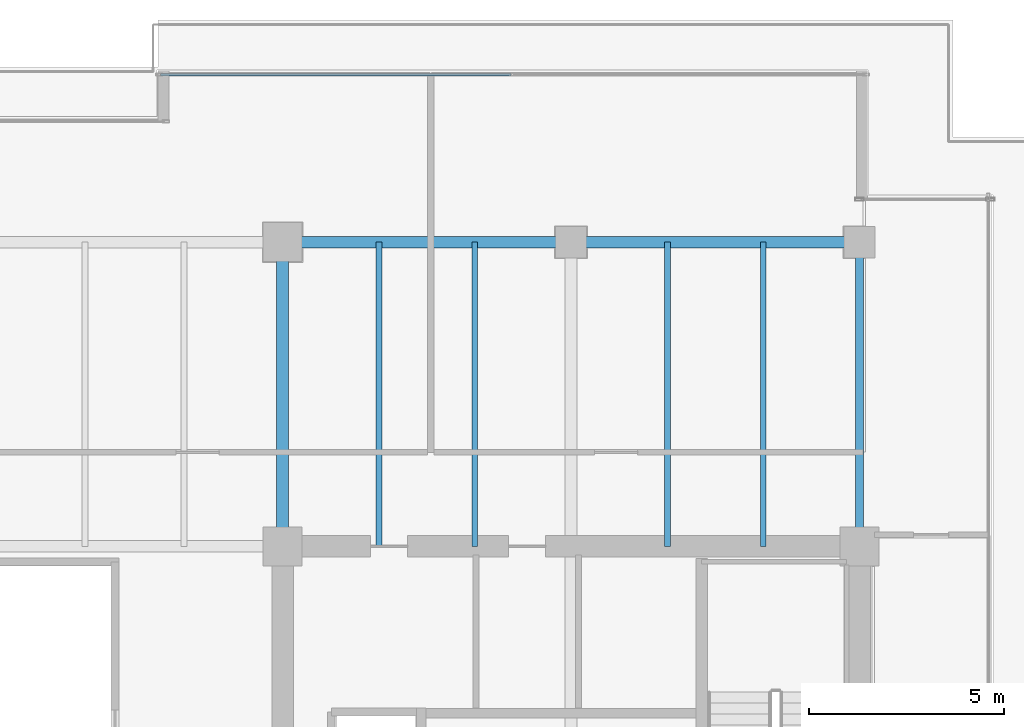
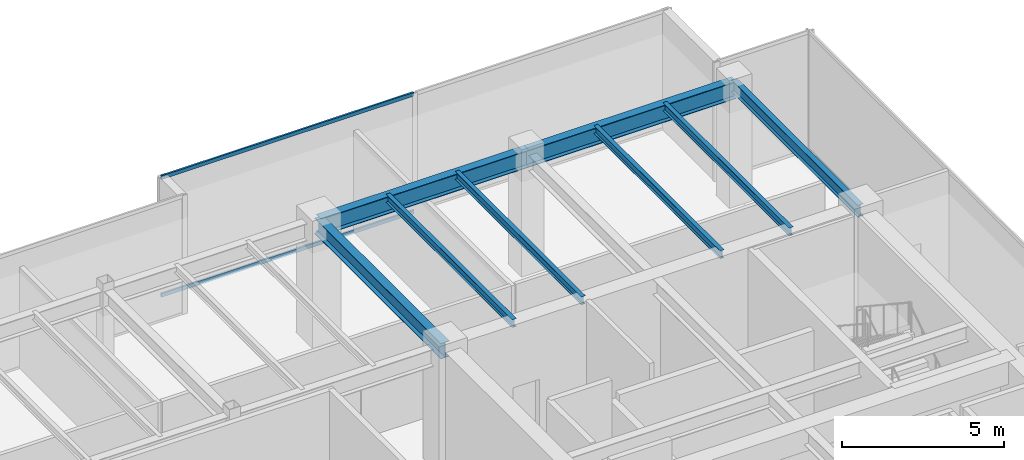
# One storey, part 20 of 37: 8 beams, 2 members, 1 element without a shape of its own.
"""IFC4 building model written with IfcOpenShell, lengths in metres."""

from ifc_helpers import new_model, si_unit, direction, frame, origin, origin_2d, place, context, subcontext, project, spatial, hollow_rectangle, i_section, extrude, source, transform, mapped, material, layer, layer_set, material_profile, profile_set, type_object, type_shapes, element, aggregate, save


model = new_model("IFC4")

# Units and contexts
model_context = context("Model", 3, precision=1e-05, world=origin(), true_north=direction((0.0, 1.0)))
body_context = subcontext(model_context, "Body", "Model", "MODEL_VIEW")
ifc_project = project(units=[si_unit("LENGTHUNIT", "METRE"), si_unit("AREAUNIT", "SQUARE_METRE"), si_unit("VOLUMEUNIT", "CUBIC_METRE"), si_unit("PLANEANGLEUNIT", "RADIAN"), si_unit("MASSUNIT", "GRAM", prefix="KILO")], contexts=[model_context])

# Site, building, storey
site_placement = place(None, origin())
site = spatial("IfcSite", under=ifc_project, at=site_placement, CompositionType="ELEMENT")
building_placement = place(site_placement, origin())
building = spatial("IfcBuilding", under=site, at=building_placement, Name="Haelvirn Gate Laboratories", CompositionType="ELEMENT")
storey_placement = place(building_placement, frame((0.0, 0.0, 196.60009765625)))
storey = spatial("IfcBuildingStorey", under=building, at=storey_placement, Name="L47", CompositionType="ELEMENT", Elevation=196.60009765625)

# Beams
ifc_material_1 = material(Name="Steel SM355", Category="steel")
ifc_material_profile_1 = material_profile(ifc_material_1, i_section(OverallWidth=0.14990234375, OverallDepth=0.300048828125, WebThickness=0.006591796875, FlangeThickness=0.009033203125, at=origin_2d()), Name="H-300x150x6.5x9")
ifc_profile_set_1 = profile_set([ifc_material_profile_1], Name="Steel SM355")
beam_type_1 = type_object("IfcBeamType", Name="BM-J-300", PredefinedType="JOIST", material=ifc_profile_set_1)
shared_shape_1 = source(origin(), body_context, "Body", "SweptSolid", [
    extrude(i_section(OverallWidth=0.14990234375, OverallDepth=0.300048828125, WebThickness=0.006591796875, FlangeThickness=0.009033203125, at=origin_2d()), origin(), (0.0, 0.0, 1.0), 7.800048828125),
])
type_shapes(beam_type_1, [shared_shape_1])
for number, where, z_axis, x_axis, name in (
    (1, (55.070068359375, 33.800048828125, 4.349853515625), (0.0, 1.0, 0.0), (-1.0, 0.0, 0.0), "L47 Composite Lab Joist North X55.07"),
    (2, (57.530029296875, 33.800048828125, 4.349853515625), (0.0, 1.0, 0.0), (-1.0, 0.0, 0.0), "L47 Composite Lab Joist North X57.53"),
    (3, (62.469970703125, 33.800048828125, 4.349853515625), (0.0, 1.0, 0.0), (-1.0, 0.0, 0.0), "L47 Composite Lab Joist North X62.47"),
    (4, (64.929931640625, 33.800048828125, 4.349853515625), (0.0, 1.0, 0.0), (-1.0, 0.0, 0.0), "L47 Composite Lab Joist North X64.93"),
):
    element("IfcBeam", number, at=place(storey_placement, frame(where, z_axis=z_axis, x_axis=x_axis)), inside=storey, type_object=beam_type_1, Name=name, PredefinedType="JOIST", context=body_context, shape_type="MappedRepresentation", body=[
        mapped(shared_shape_1, transform((0.0, 0.0, 0.0), scale=1.0)),
    ])
ifc_material_profile_2 = material_profile(ifc_material_1, i_section(OverallWidth=0.300048828125, OverallDepth=0.587890625, WebThickness=0.011962890625, FlangeThickness=0.02001953125, at=origin_2d()), Name="H-588x300x12x20")
ifc_profile_set_2 = profile_set([ifc_material_profile_2], Name="Steel SM355")
beam_type_2 = type_object("IfcBeamType", Name="BM-G-588", PredefinedType="BEAM", material=ifc_profile_set_2)
shared_shape_2 = source(origin(), body_context, "Body", "SweptSolid", [
    extrude(i_section(OverallWidth=0.300048828125, OverallDepth=0.587890625, WebThickness=0.011962890625, FlangeThickness=0.02001953125, at=origin_2d()), origin(), (0.0, 0.0, 1.0), 7.800048828125),
])
type_shapes(beam_type_2, [shared_shape_2])
beam_1_placement = place(storey_placement, frame((52.60009765625, 33.800048828125, 4.205810546875), z_axis=(0.0, 1.0, 0.0), x_axis=(-1.0, 0.0, 0.0)))
element("IfcBeam", 5, at=beam_1_placement, inside=storey, type_object=beam_type_2, Name="L47 Frame Girder X52.6 (33.8-41.6)", PredefinedType="BEAM", context=body_context, shape_type="MappedRepresentation", body=[
    mapped(shared_shape_2, transform((0.0, 0.0, 0.0), scale=1.0)),
])
ifc_material_profile_3 = material_profile(ifc_material_1, i_section(OverallWidth=0.300048828125, OverallDepth=0.64990234375, WebThickness=0.012939453125, FlangeThickness=0.02197265625, at=origin_2d()), Name="H-650x300x13x22")
ifc_profile_set_3 = profile_set([ifc_material_profile_3], Name="Steel SM355")
beam_type_3 = type_object("IfcBeamType", Name="BM-G-650", PredefinedType="BEAM", material=ifc_profile_set_3)
shared_shape_3 = source(origin(), body_context, "Body", "SweptSolid", [
    extrude(i_section(OverallWidth=0.300048828125, OverallDepth=0.64990234375, WebThickness=0.012939453125, FlangeThickness=0.02197265625, at=origin_2d()), origin(), (0.0, 0.0, 1.0), 7.39990234375),
])
type_shapes(beam_type_3, [shared_shape_3])
for number, where, z_axis, x_axis, name in (
    (6, (52.60009765625, 41.60009765625, 4.1748046875), (1.0, 0.0, 0.0), (0.0, 1.0, 0.0), "L47 Primary Girder Y41.6 (52.6-60.0)"),
    (7, (60.0, 41.60009765625, 4.1748046875), (1.0, 0.0, 0.0), (0.0, 1.0, 0.0), "L47 Primary Girder Y41.6 (60.0-67.4)"),
):
    element("IfcBeam", number, at=place(storey_placement, frame(where, z_axis=z_axis, x_axis=x_axis)), inside=storey, type_object=beam_type_3, Name=name, PredefinedType="BEAM", context=body_context, shape_type="MappedRepresentation", body=[
        mapped(shared_shape_3, transform((0.0, 0.0, 0.0), scale=1.0)),
    ])
ifc_material_profile_4 = material_profile(ifc_material_1, i_section(OverallWidth=0.199951171875, OverallDepth=0.449951171875, WebThickness=0.009033203125, FlangeThickness=0.013916015625, at=origin_2d()), Name="H-450x200x9x14")
ifc_profile_set_4 = profile_set([ifc_material_profile_4], Name="Steel SM355")
beam_type_4 = type_object("IfcBeamType", Name="BM-SP-450", PredefinedType="SPANDREL", material=ifc_profile_set_4)
shared_shape_4 = source(origin(), body_context, "Body", "SweptSolid", [
    extrude(i_section(OverallWidth=0.199951171875, OverallDepth=0.449951171875, WebThickness=0.009033203125, FlangeThickness=0.013916015625, at=origin_2d()), origin(), (0.0, 0.0, 1.0), 7.800048828125),
])
type_shapes(beam_type_4, [shared_shape_4])
beam_2_placement = place(storey_placement, frame((67.39990234375, 33.800048828125, 4.27490234375), z_axis=(0.0, 1.0, 0.0), x_axis=(-1.0, 0.0, 0.0)))
element("IfcBeam", 8, at=beam_2_placement, inside=storey, type_object=beam_type_4, Name="L47 Perimeter Spandrel X67.4 (33.8-41.6)", PredefinedType="SPANDREL", context=body_context, shape_type="MappedRepresentation", body=[
    mapped(shared_shape_4, transform((0.0, 0.0, 0.0), scale=1.0)),
])

# Curtain wall, members
ifc_material_2 = material(Name="Anodised bronze unitised aluminium & triple low-E glass", Category="aluminium")
ifc_layer = layer(ifc_material_2, 0.176025390625, Name="CW-SYS-4")
ifc_layer_set = layer_set([ifc_layer], Name="Anodised bronze unitised aluminium & triple low-E glass")
curtain_wall_type = type_object("IfcCurtainWallType", Name="CW-SYS-4", PredefinedType="NOTDEFINED", material=ifc_layer_set)
curtain_wall_placement = place(storey_placement, origin())
curtain_wall = element("IfcCurtainWall", 9, at=curtain_wall_placement, inside=storey, type_object=curtain_wall_type, Name="L47 Unitised Curtain Wall CW-L47-P0-E10-1", PredefinedType="NOTDEFINED")
ifc_material_3 = material(Name="Extruded aluminium 6063-T6 (anodised bronze)", Category="aluminium")
ifc_material_profile_5 = material_profile(ifc_material_3, hollow_rectangle(XDim=0.06494140625, YDim=0.139892578125, WallThickness=0.00390625, at=origin_2d()), Name="CWT-140x65x4")
ifc_profile_set_5 = profile_set([ifc_material_profile_5], Name="Extruded aluminium 6063-T6 (anodised bronze)")
member_type = type_object("IfcMemberType", Name="CWT-T140", PredefinedType="USERDEFINED", material=ifc_profile_set_5)
shared_shape_5 = source(origin(), body_context, "Body", "SweptSolid", [
    extrude(hollow_rectangle(XDim=0.06494140625, YDim=0.139892578125, WallThickness=0.00390625, at=origin_2d()), origin(), (0.0, 0.0, 1.0), 8.9951171875),
])
type_shapes(member_type, [shared_shape_5])
member_1_placement = place(storey_placement, frame((49.469970703125, 45.89990234375, 0.032470703125), z_axis=(1.0, 0.0, 0.0), x_axis=(0.0, 1.0, 0.0)))
member_1 = element("IfcMember", 10, at=member_1_placement, type_object=member_type, Name="CW4 transom 1.1", ObjectType="TRANSOM", PredefinedType="USERDEFINED", context=body_context, shape_type="MappedRepresentation", body=[
    mapped(shared_shape_5, transform((0.0, 0.0, 0.0), scale=1.0)),
])
member_2_placement = place(storey_placement, frame((49.469970703125, 45.89990234375, 4.46728515625), z_axis=(1.0, 0.0, 0.0), x_axis=(0.0, 1.0, 0.0)))
member_2 = element("IfcMember", 11, at=member_2_placement, type_object=member_type, Name="CW4 transom 1.2", ObjectType="TRANSOM", PredefinedType="USERDEFINED", context=body_context, shape_type="MappedRepresentation", body=[
    mapped(shared_shape_5, transform((0.0, 0.0, 0.0), scale=1.0)),
])
aggregate(curtain_wall, [member_1, member_2])

save(model, "model.ifc")
